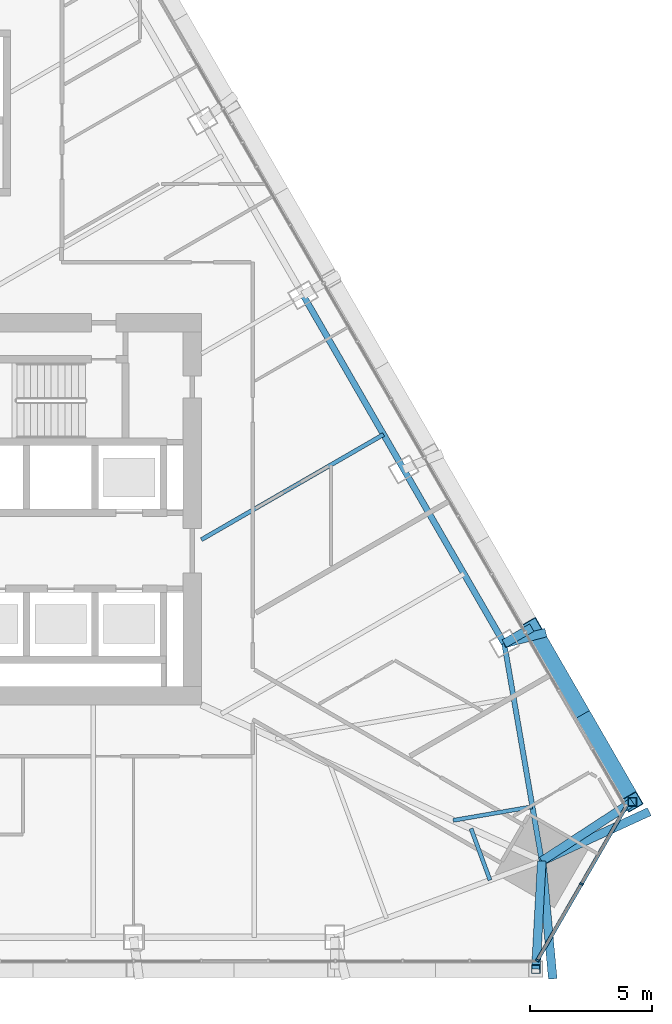
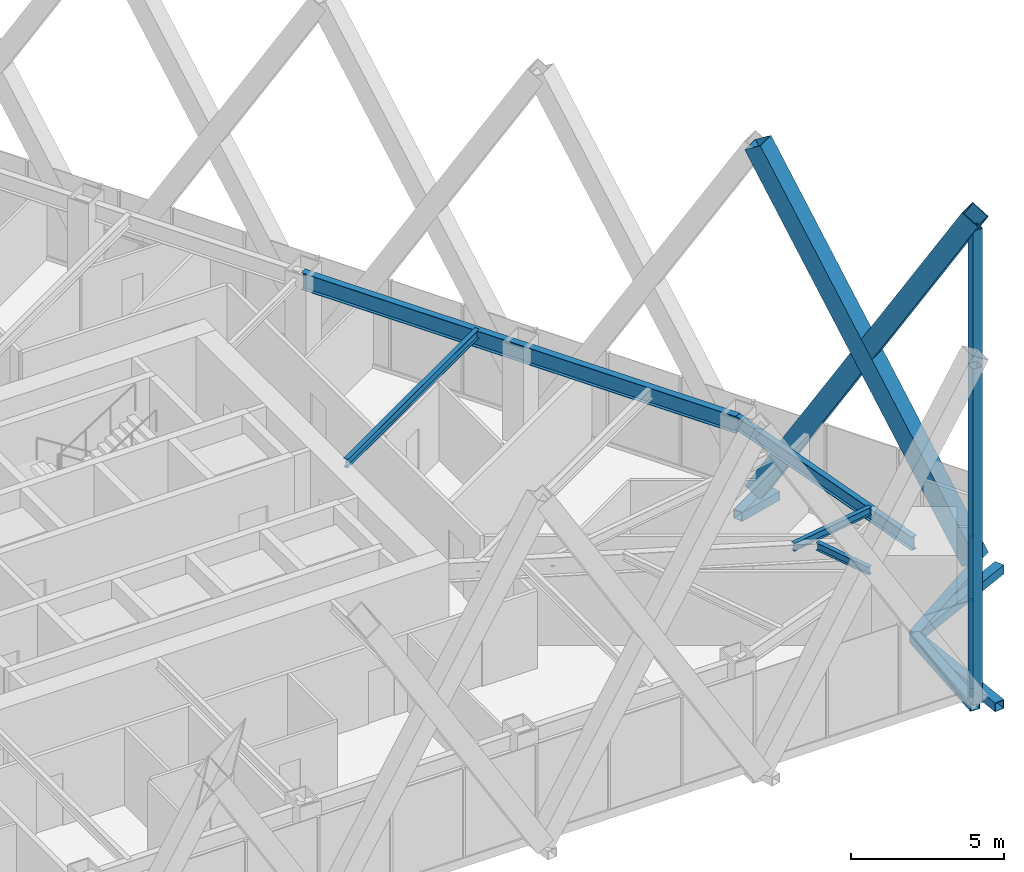
# One storey, part 7 of 19: 13 members, 5 beams, 1 element without a shape of its own.
"""IFC4 building model written with IfcOpenShell, lengths in metres."""

import ifcopenshell
import ifcopenshell.guid

model = None  # the IFC model being written
_history = None  # IfcOwnerHistory: only IFC2X3 demands one
_inside = {}  # id of a spatial element -> (the spatial element, [elements in it])
_under = {}  # id of a project, library or spatial element -> (it, [spatial elements below it])
_declared = {}  # id of a project -> (the project, [libraries it declares])
_typed = {}  # id of a type object -> (the type object, [elements of that type])
_made_of = {}  # id of a material, layer set ... -> (it, [elements and type objects made of it])


def new_model(schema):
    """Start an empty IFC model of exactly this schema.

    Asked for "IFC4X3", IfcOpenShell would pick the latest addendum, in which some entities
    have other attributes; the version numbers below select the first issue.
    IFC2X3 requires an IfcOwnerHistory on every rooted entity: one is made here for all.
    """
    global model, _history
    if schema == "IFC4X3":
        model = ifcopenshell.file(schema_version=(4, 3, 0, 0))
    else:
        model = ifcopenshell.file(schema=schema)
    _inside.clear()
    _under.clear()
    _declared.clear()
    _typed.clear()
    _made_of.clear()
    _history = None
    if model.schema == "IFC2X3":
        org = make("IfcOrganization", Name="unknown")
        user = make(
            "IfcPersonAndOrganization",
            ThePerson=make("IfcPerson", FamilyName="unknown"),
            TheOrganization=org,
        )
        app = make(
            "IfcApplication",
            ApplicationDeveloper=org,
            Version="unknown",
            ApplicationFullName="unknown",
            ApplicationIdentifier="unknown",
        )
        _history = make(
            "IfcOwnerHistory",
            OwningUser=user,
            OwningApplication=app,
            ChangeAction="ADDED",
            CreationDate=0,
        )
    return model


def make(cls, **values):
    """One entity of the class cls with the attributes given. An attribute that is None is left unset."""
    return model.create_entity(
        cls, **{name: value for name, value in values.items() if value is not None}
    )


def rooted(cls, **values):
    """An entity with a GlobalId (a new one), such as an element, a storey or a relation."""
    return make(cls, GlobalId=ifcopenshell.guid.new(), OwnerHistory=_history, **values)


def si_unit(unit_type, name, prefix=None):
    """IfcSIUnit, for example si_unit("LENGTHUNIT", "METRE", prefix="MILLI")."""
    return make("IfcSIUnit", UnitType=unit_type, Prefix=prefix, Name=name)


def assignment(units):
    """IfcUnitAssignment: the units of a project."""
    return None if units is None else make("IfcUnitAssignment", Units=units)


def point(xyz):
    """IfcCartesianPoint."""
    return None if xyz is None else make("IfcCartesianPoint", Coordinates=xyz)


def direction(xyz):
    """IfcDirection."""
    return None if xyz is None else make("IfcDirection", DirectionRatios=xyz)


def frame(location, z_axis=None, x_axis=None):
    """IfcAxis2Placement3D, a coordinate frame: its origin and axes. An axis left out is left unset."""
    return make(
        "IfcAxis2Placement3D",
        Location=point(location),
        Axis=direction(z_axis),
        RefDirection=direction(x_axis),
    )


def frame_2d(location, x_axis=None):
    """IfcAxis2Placement2D, a coordinate frame in the plane: its origin and x axis."""
    return make(
        "IfcAxis2Placement2D", Location=point(location), RefDirection=direction(x_axis)
    )


def origin():
    """The frame at (0, 0, 0) with its axes left unset."""
    return frame((0.0, 0.0, 0.0))


def origin_2d():
    """The frame at (0, 0) in the plane with its x axis left unset."""
    return frame_2d((0.0, 0.0))


def place(relative_to, where):
    """IfcLocalPlacement: puts the frame where relative to a parent placement (None: the world)."""
    return make(
        "IfcLocalPlacement", PlacementRelTo=relative_to, RelativePlacement=where
    )


def context(
    kind, dimensions, precision=None, world=None, true_north=None, identifier=None
):
    """IfcGeometricRepresentationContext, for example the 3D "Model" context."""
    return make(
        "IfcGeometricRepresentationContext",
        ContextIdentifier=identifier,
        ContextType=kind,
        CoordinateSpaceDimension=dimensions,
        Precision=precision,
        WorldCoordinateSystem=world,
        TrueNorth=true_north,
    )


def subcontext(parent, identifier, kind, view, scale=None):
    """IfcGeometricRepresentationSubContext, for example "Body" below "Model"."""
    return make(
        "IfcGeometricRepresentationSubContext",
        ContextIdentifier=identifier,
        ContextType=kind,
        ParentContext=parent,
        TargetScale=scale,
        TargetView=view,
    )


def project(units=None, contexts=None):
    """IfcProject with its units and contexts."""
    return rooted(
        "IfcProject",
        Name="project",
        RepresentationContexts=contexts,
        UnitsInContext=assignment(units),
    )


def spatial(cls, under=None, at=None, **own):
    """A site, building, storey or space (cls), placed at a placement, below another one or the project."""
    s = rooted(cls, ObjectPlacement=at, **own)
    if under is not None:
        _under.setdefault(under.id(), (under, []))[1].append(s)
    return s


def profile(cls, at=None, kind="AREA", **sizes):
    """A parametric profile (cls). Its sizes go by their IFC names, for example OverallWidth=200.0."""
    return make(cls, ProfileType=kind, Position=at, **sizes)


def rectangle(**sizes):
    """IfcRectangleProfileDef."""
    return profile("IfcRectangleProfileDef", **sizes)


def hollow_rectangle(**sizes):
    """IfcRectangleHollowProfileDef."""
    return profile("IfcRectangleHollowProfileDef", **sizes)


def i_section(**sizes):
    """IfcIShapeProfileDef."""
    return profile("IfcIShapeProfileDef", **sizes)


def extrude(swept, where, along, depth):
    """IfcExtrudedAreaSolid: the profile swept, set in the frame where, extruded along a direction by depth."""
    return make(
        "IfcExtrudedAreaSolid",
        SweptArea=swept,
        Position=where,
        ExtrudedDirection=direction(along),
        Depth=depth,
    )


def shape(context_of_items, identifier, shape_type, items):
    """IfcShapeRepresentation: the items that make up one representation, for example the "Body"."""
    return make(
        "IfcShapeRepresentation",
        ContextOfItems=context_of_items,
        RepresentationIdentifier=identifier,
        RepresentationType=shape_type,
        Items=items,
    )


def material(Name=None, Category=None):
    """IfcMaterial."""
    return make("IfcMaterial", Name=Name, Category=Category)


def layer(
    of_material, thickness, ventilated=None, Name=None, Category=None, Priority=None
):
    """IfcMaterialLayer: one layer of a wall or slab, of a material (None: an air gap)."""
    return make(
        "IfcMaterialLayer",
        Material=of_material,
        LayerThickness=thickness,
        IsVentilated=ventilated,
        Name=Name,
        Category=Category,
        Priority=Priority,
    )


def layer_set(layers, Name=None):
    """IfcMaterialLayerSet."""
    return make("IfcMaterialLayerSet", MaterialLayers=layers, LayerSetName=Name)


def material_profile(
    of_material, cross_section, Name=None, Category=None, Priority=None
):
    """IfcMaterialProfile: a cross section and its material."""
    return make(
        "IfcMaterialProfile",
        Name=Name,
        Material=of_material,
        Profile=cross_section,
        Priority=Priority,
        Category=Category,
    )


def profile_set(profiles, Name=None, composite=None):
    """IfcMaterialProfileSet."""
    return make(
        "IfcMaterialProfileSet",
        Name=Name,
        MaterialProfiles=profiles,
        CompositeProfile=composite,
    )


def made_of(thing, what):
    """Note that an element or type object is made of a material, layer set ...; save() writes the relation."""
    if what is not None:
        _made_of.setdefault(what.id(), (what, []))[1].append(thing)
    return thing


def type_object(cls, material=None, **own):
    """A type object (cls), such as IfcWallType, which elements share."""
    return made_of(rooted(cls, **own), material)


def element(
    cls,
    number,
    at=None,
    inside=None,
    cuts=None,
    type_object=None,
    material=None,
    context=None,
    identifier="Body",
    shape_type=None,
    held_by="IfcProductDefinitionShape",
    body=None,
    shapes=None,
    **own,
):
    """One element of the class cls, such as IfcWall. Its Tag is "e" and its number.

    at: its placement. inside: the storey or other place that contains it. cuts: it is an
    opening in that element (IfcRelVoidsElement). A single representation is given by context,
    identifier, shape_type and body (its items); several are given by shapes. held_by: the class
    of the entity that holds the representations. save() writes the other relations.
    """
    e = rooted(cls, Tag="e%d" % number, ObjectPlacement=at, **own)
    if body is not None:
        shapes = [shape(context, identifier, shape_type, body)]
    if shapes is not None:
        e.Representation = make(held_by, Representations=shapes)
    if inside is not None:
        _inside.setdefault(inside.id(), (inside, []))[1].append(e)
    if cuts is not None:
        rooted(
            "IfcRelVoidsElement", RelatingBuildingElement=cuts, RelatedOpeningElement=e
        )
    if type_object is not None:
        _typed.setdefault(type_object.id(), (type_object, []))[1].append(e)
    return made_of(e, material)


def aggregate(whole, parts):
    """IfcRelAggregates: a whole, such as a stair, and the parts it consists of."""
    return rooted("IfcRelAggregates", RelatingObject=whole, RelatedObjects=parts)


def save(model, path):
    """Write the relations noted so far, then the file.

    IfcRelAggregates (storeys below a building ...), IfcRelContainedInSpatialStructure (elements
    in a storey), IfcRelDefinesByType, IfcRelAssociatesMaterial and IfcRelDeclares: one each for
    every whole, place, type object, material and project.
    """
    for whole, parts in _under.values():
        aggregate(whole, parts)
    for where, things in _inside.values():
        rooted(
            "IfcRelContainedInSpatialStructure",
            RelatedElements=things,
            RelatingStructure=where,
        )
    for kind, things in _typed.values():
        rooted("IfcRelDefinesByType", RelatedObjects=things, RelatingType=kind)
    for what, things in _made_of.values():
        rooted("IfcRelAssociatesMaterial", RelatedObjects=things, RelatingMaterial=what)
    for by, libraries in _declared.values():
        rooted("IfcRelDeclares", RelatingContext=by, RelatedDefinitions=libraries)
    model.write(path)


model = new_model("IFC4")

# Units and contexts
model_context = context("Model", 3, precision=1e-05, world=origin(), true_north=direction((0.0, 1.0)))
body_context = subcontext(model_context, "Body", "Model", "MODEL_VIEW")
ifc_project = project(units=[si_unit("LENGTHUNIT", "METRE"), si_unit("AREAUNIT", "SQUARE_METRE"), si_unit("VOLUMEUNIT", "CUBIC_METRE"), si_unit("PLANEANGLEUNIT", "RADIAN"), si_unit("MASSUNIT", "GRAM", prefix="KILO")], contexts=[model_context])

# Site, building, storey
site_placement = place(None, origin())
site = spatial("IfcSite", under=ifc_project, at=site_placement, CompositionType="ELEMENT")
building_placement = place(site_placement, origin())
building = spatial("IfcBuilding", under=site, at=building_placement, Name="Firuza Gate Tower and Library", CompositionType="ELEMENT")
storey_placement = place(building_placement, frame((0.0, 0.0, 233.800048828125)))
storey = spatial("IfcBuildingStorey", under=building, at=storey_placement, Name="L55", CompositionType="ELEMENT", Elevation=233.800048828125)

# Members
ifc_material_1 = material(Name="Steel S355", Category="steel")
ifc_material_profile_1 = material_profile(ifc_material_1, hollow_rectangle(XDim=0.699951171875, YDim=0.699951171875, WallThickness=0.030029296875, at=origin_2d()))
ifc_profile_set_1 = profile_set([ifc_material_profile_1], Name="Steel S355")
member_type_1 = type_object("IfcMemberType", Name="BU700x700x30 Lattice brace", PredefinedType="BRACE", material=ifc_profile_set_1)
for number, where, z_axis, x_axis, name in (
    (1, (103.623046875, 63.031494140625, 0.0), (-0.256001119482, 0.443405002033, 0.858985116865), (-0.866024454709, -0.500001643842, 0.0), "Lattice brace E 13.1R"),
    (2, (99.51025390625, 70.155029296875, 0.0), (0.256001119482, -0.443405002033, 0.858985116865), (0.866024454709, 0.500001643842, 0.0), "Lattice brace E 13.1L"),
):
    element("IfcMember", number, at=place(storey_placement, frame(where, z_axis=z_axis, x_axis=x_axis)), inside=storey, type_object=member_type_1, Name=name, PredefinedType="BRACE", context=body_context, shape_type="SweptSolid", body=[
        extrude(hollow_rectangle(XDim=0.699951171875, YDim=0.699951171875, WallThickness=0.030029296875, at=origin_2d()), origin(), (0.0, 0.0, 1.0), 16.0654296875),
    ])

# Curtain wall, members
ifc_material_2 = material(Name="Aluminium 6063-T6", Category="aluminium")
ifc_layer = layer(ifc_material_2, 0.14990234375)
ifc_layer_set = layer_set([ifc_layer], Name="Corner curtain wall, chamfers")
curtain_wall_type = type_object("IfcCurtainWallType", Name="Corner curtain wall, chamfers", PredefinedType="NOTDEFINED", material=ifc_layer_set)
curtain_wall_placement = place(storey_placement, origin())
curtain_wall = element("IfcCurtainWall", 3, at=curtain_wall_placement, inside=storey, type_object=curtain_wall_type, Name="CW4 L55 SE corner", PredefinedType="NOTDEFINED")
ifc_material_3 = material(Name="Aluminium 6063-T6", Category="aluminium")
ifc_material_profile_2 = material_profile(ifc_material_3, rectangle(XDim=0.14990234375, YDim=0.080078125, at=origin_2d()))
ifc_profile_set_2 = profile_set([ifc_material_profile_2], Name="Aluminium 6063-T6")
member_type_2 = type_object("IfcMemberType", Name="Curtain wall mullion 80x150", PredefinedType="MULLION", material=ifc_profile_set_2)
member_1_placement = place(storey_placement, frame((99.739990234375, 56.5556640625, 0.14990234375), z_axis=(0.0, 0.0, 1.0), x_axis=(-0.866025403784, 0.5, 0.0)))
member_1 = element("IfcMember", 4, at=member_1_placement, type_object=member_type_2, Name="Mullion", PredefinedType="MULLION", context=body_context, shape_type="SweptSolid", body=[
    extrude(rectangle(XDim=0.14990234375, YDim=0.080078125, at=origin_2d()), origin(), (0.0, 0.0, 1.0), 3.550048828125),
])
member_2_placement = place(storey_placement, frame((101.54150390625, 59.67626953125, 0.14990234375), z_axis=(0.0, 0.0, 1.0), x_axis=(-0.866025403784, 0.5, 0.0)))
member_2 = element("IfcMember", 5, at=member_2_placement, type_object=member_type_2, Name="Mullion", PredefinedType="MULLION", context=body_context, shape_type="SweptSolid", body=[
    extrude(rectangle(XDim=0.14990234375, YDim=0.080078125, at=origin_2d()), origin(), (0.0, 0.0, 1.0), 3.550048828125),
])
ifc_material_4 = material(Name="Aluminium 6063-T6", Category="aluminium")
ifc_material_profile_3 = material_profile(ifc_material_4, rectangle(XDim=0.14990234375, YDim=0.35009765625, at=origin_2d()))
ifc_profile_set_3 = profile_set([ifc_material_profile_3], Name="Aluminium 6063-T6")
member_type_3 = type_object("IfcMemberType", Name="Curtain wall transom 350x150", PredefinedType="USERDEFINED", material=ifc_profile_set_3)
member_3_placement = place(storey_placement, frame((99.719970703125, 56.52099609375, -0.025146484375), z_axis=(0.500005719219, 0.866022101766, 0.0), x_axis=(-0.866022101766, 0.500005719219, 0.0)))
member_3 = element("IfcMember", 6, at=member_3_placement, type_object=member_type_3, Name="Transom", ObjectType="TRANSOM", PredefinedType="USERDEFINED", context=body_context, shape_type="SweptSolid", body=[
    extrude(rectangle(XDim=0.14990234375, YDim=0.35009765625, at=origin_2d()), origin(), (0.0, 0.0, 1.0), 7.28662109375),
])
aggregate(curtain_wall, [member_1, member_2, member_3])

# Members
ifc_material_5 = material(Name="Steel S355", Category="steel")
ifc_material_profile_4 = material_profile(ifc_material_5, hollow_rectangle(XDim=0.355712890625, YDim=0.355712890625, WallThickness=0.014892578125, at=origin_2d()))
ifc_profile_set_4 = profile_set([ifc_material_profile_4], Name="Steel S355")
member_type_4 = type_object("IfcMemberType", Name="HSS356x356x16 Lattice corner stile", PredefinedType="BRACE", material=ifc_profile_set_4)
for number, where, z_axis, x_axis, name in (
    (7, (99.676513671875, 56.196044921875, -0.14013671875), (0.0, 0.0, 1.0), (1.0, 0.0, 0.0), "Lattice corner stile S 13.B"),
    (8, (103.623046875, 63.031494140625, -0.14013671875), (0.0, 0.0, 1.0), (1.0, 0.0, 0.0), "Lattice corner stile E 13.A"),
):
    element("IfcMember", number, at=place(storey_placement, frame(where, z_axis=z_axis, x_axis=x_axis)), inside=storey, type_object=member_type_4, Name=name, PredefinedType="BRACE", context=body_context, shape_type="SweptSolid", body=[
        extrude(hollow_rectangle(XDim=0.355712890625, YDim=0.355712890625, WallThickness=0.014892578125, at=origin_2d()), origin(), (0.0, 0.0, 1.0), 13.440185546875),
    ])
ifc_material_6 = material(Name="Steel S355", Category="steel")
ifc_material_profile_5 = material_profile(ifc_material_6, hollow_rectangle(XDim=0.355712890625, YDim=0.355712890625, WallThickness=0.014892578125, at=origin_2d()))
ifc_profile_set_5 = profile_set([ifc_material_profile_5], Name="Steel S355")
member_type_5 = type_object("IfcMemberType", Name="HSS356x356x16 Lattice node tie", PredefinedType="BRACE", material=ifc_profile_set_5)
member_4_placement = place(storey_placement, frame((98.384521484375, 69.5048828125, -0.320068359375), z_axis=(0.966643622206, 0.256125179646, 0.0), x_axis=(-0.256125179646, 0.966643622206, 0.0)))
element("IfcMember", 9, at=member_4_placement, inside=storey, type_object=member_type_5, Name="Lattice node tie E L55 296", PredefinedType="BRACE", context=body_context, shape_type="SweptSolid", body=[
    extrude(hollow_rectangle(XDim=0.355712890625, YDim=0.355712890625, WallThickness=0.014892578125, at=origin_2d()), origin(), (0.0, 0.0, 1.0), 1.759521484375),
])
member_5_placement = place(storey_placement, frame((98.384521484375, 69.5048828125, -0.320068359375), z_axis=(0.86595725628, 0.500118016368, 0.0), x_axis=(-0.500118016368, 0.86595725628, 0.0)))
element("IfcMember", 10, at=member_5_placement, inside=storey, type_object=member_type_5, Name="Lattice node tie E L55 297", PredefinedType="BRACE", context=body_context, shape_type="SweptSolid", body=[
    extrude(hollow_rectangle(XDim=0.355712890625, YDim=0.355712890625, WallThickness=0.014892578125, at=origin_2d()), origin(), (0.0, 0.0, 1.0), 1.300048828125),
])
member_6_placement = place(storey_placement, frame((99.917724609375, 60.61376953125, -0.320068359375), z_axis=(0.90872599947, 0.417393169431, 0.0), x_axis=(-0.417393169431, 0.90872599947, 0.0)))
element("IfcMember", 11, at=member_6_placement, inside=storey, type_object=member_type_5, Name="Lattice node tie E L55 298", PredefinedType="BRACE", context=body_context, shape_type="SweptSolid", body=[
    extrude(hollow_rectangle(XDim=0.355712890625, YDim=0.355712890625, WallThickness=0.014892578125, at=origin_2d()), origin(), (0.0, 0.0, 1.0), 4.837158203125),
])
member_7_placement = place(storey_placement, frame((99.917724609375, 60.61376953125, -0.320068359375), z_axis=(0.837485429113, 0.546459656355, 0.0), x_axis=(-0.546459656355, 0.837485429113, 0.0)))
element("IfcMember", 12, at=member_7_placement, inside=storey, type_object=member_type_5, Name="Lattice node tie E L55 299", PredefinedType="BRACE", context=body_context, shape_type="SweptSolid", body=[
    extrude(hollow_rectangle(XDim=0.355712890625, YDim=0.355712890625, WallThickness=0.014892578125, at=origin_2d()), origin(), (0.0, 0.0, 1.0), 4.42431640625),
])
member_8_placement = place(storey_placement, frame((99.917724609375, 60.61376953125, -0.320068359375), z_axis=(0.092865407282, -0.995678671124, 0.0), x_axis=(0.995678671124, 0.092865407282, 0.0)))
element("IfcMember", 13, at=member_8_placement, inside=storey, type_object=member_type_5, Name="Lattice node tie S L55 309", PredefinedType="BRACE", context=body_context, shape_type="SweptSolid", body=[
    extrude(hollow_rectangle(XDim=0.355712890625, YDim=0.355712890625, WallThickness=0.014892578125, at=origin_2d()), origin(), (0.0, 0.0, 1.0), 4.83740234375),
])
member_9_placement = place(storey_placement, frame((99.917724609375, 60.61376953125, -0.320068359375), z_axis=(-0.054519511079, -0.998512705433, 0.0), x_axis=(0.998512705433, -0.054519511079, 0.0)))
element("IfcMember", 14, at=member_9_placement, inside=storey, type_object=member_type_5, Name="Lattice node tie S L55 310", PredefinedType="BRACE", context=body_context, shape_type="SweptSolid", body=[
    extrude(hollow_rectangle(XDim=0.355712890625, YDim=0.355712890625, WallThickness=0.014892578125, at=origin_2d()), origin(), (0.0, 0.0, 1.0), 4.42431640625),
])

# Beams
ifc_material_7 = material(Name="Steel S355", Category="steel")
ifc_material_profile_6 = material_profile(ifc_material_7, i_section(OverallWidth=0.1650390625, OverallDepth=0.31005859375, WebThickness=0.005859375, FlangeThickness=0.009765625, at=origin_2d()))
ifc_profile_set_6 = profile_set([ifc_material_profile_6], Name="Steel S355")
beam_type_1 = type_object("IfcBeamType", Name="W310x39 Floor beam", PredefinedType="JOIST", material=ifc_profile_set_6)
beam_1_placement = place(storey_placement, frame((97.801025390625, 59.834228515625, 3.544921875), z_axis=(-0.345503762559, 0.938417364533, 0.0), x_axis=(-0.938417364533, -0.345503762559, 0.0)))
element("IfcBeam", 15, at=beam_1_placement, inside=storey, type_object=beam_type_1, Name="Floor beam L55 s31", PredefinedType="JOIST", context=body_context, shape_type="SweptSolid", body=[
    extrude(i_section(OverallWidth=0.1650390625, OverallDepth=0.31005859375, WebThickness=0.005859375, FlangeThickness=0.009765625, at=origin_2d()), origin(), (0.0, 0.0, 1.0), 2.244873046875),
])
beam_2_placement = place(storey_placement, frame((99.534423828125, 62.83642578125, 3.544921875), z_axis=(-0.985455831019, -0.169931766042, 0.0), x_axis=(0.169931766042, -0.985455831019, 0.0)))
element("IfcBeam", 16, at=beam_2_placement, inside=storey, type_object=beam_type_1, Name="Floor beam L55 s40", PredefinedType="JOIST", context=body_context, shape_type="SweptSolid", body=[
    extrude(i_section(OverallWidth=0.1650390625, OverallDepth=0.31005859375, WebThickness=0.005859375, FlangeThickness=0.009765625, at=origin_2d()), origin(), (0.0, 0.0, 1.0), 3.2900390625),
])
ifc_material_8 = material(Name="Steel S355", Category="steel")
ifc_material_profile_7 = material_profile(ifc_material_8, i_section(OverallWidth=0.1708984375, OverallDepth=0.35498046875, WebThickness=0.007080078125, FlangeThickness=0.01171875, at=origin_2d()))
ifc_profile_set_7 = profile_set([ifc_material_profile_7], Name="Steel S355")
beam_type_2 = type_object("IfcBeamType", Name="W360x51 Floor beam", PredefinedType="JOIST", material=ifc_profile_set_7)
beam_3_placement = place(storey_placement, frame((93.44921875, 78.05322265625, 3.5224609375), z_axis=(-0.866026773083, -0.499997628298, 0.0), x_axis=(0.499997628298, -0.866026773083, 0.0)))
element("IfcBeam", 17, at=beam_3_placement, inside=storey, type_object=beam_type_2, Name="Floor beam L55 s51", PredefinedType="JOIST", context=body_context, shape_type="SweptSolid", body=[
    extrude(i_section(OverallWidth=0.1708984375, OverallDepth=0.35498046875, WebThickness=0.007080078125, FlangeThickness=0.01171875, at=origin_2d()), origin(), (0.0, 0.0, 1.0), 8.6015625),
])
ifc_material_9 = material(Name="Steel S355", Category="steel")
ifc_material_profile_8 = material_profile(ifc_material_9, i_section(OverallWidth=0.212890625, OverallDepth=0.5390625, WebThickness=0.01171875, FlangeThickness=0.018798828125, at=origin_2d()))
ifc_profile_set_8 = profile_set([ifc_material_profile_8], Name="Steel S355")
beam_type_3 = type_object("IfcBeamType", Name="W530x109 Edge beam", PredefinedType="SPANDREL", material=ifc_profile_set_8)
beam_4_placement = place(storey_placement, frame((99.917724609375, 60.61376953125, 3.430419921875), z_axis=(-0.169934101, 0.985455428377, 0.0), x_axis=(-0.985455428377, -0.169934101, 0.0)))
element("IfcBeam", 18, at=beam_4_placement, inside=storey, type_object=beam_type_3, Name="Edge beam L55 e40", PredefinedType="SPANDREL", context=body_context, shape_type="SweptSolid", body=[
    extrude(i_section(OverallWidth=0.212890625, OverallDepth=0.5390625, WebThickness=0.01171875, FlangeThickness=0.018798828125, at=origin_2d()), origin(), (0.0, 0.0, 1.0), 9.0224609375),
])
ifc_material_10 = material(Name="Steel S355", Category="steel")
ifc_material_profile_9 = material_profile(ifc_material_10, i_section(OverallWidth=0.2529296875, OverallDepth=0.677978515625, WebThickness=0.01171875, FlangeThickness=0.016357421875, at=origin_2d()))
ifc_profile_set_9 = profile_set([ifc_material_profile_9], Name="Steel S355")
beam_type_4 = type_object("IfcBeamType", Name="W690x125 Edge beam", PredefinedType="SPANDREL", material=ifc_profile_set_9)
beam_5_placement = place(storey_placement, frame((98.384521484375, 69.5048828125, 3.36083984375), z_axis=(-0.500001643842, 0.866024454709, 0.0), x_axis=(-0.866024454709, -0.500001643842, 0.0)))
element("IfcBeam", 19, at=beam_5_placement, inside=storey, type_object=beam_type_4, Name="Edge beam L55 e50", PredefinedType="SPANDREL", context=body_context, shape_type="SweptSolid", body=[
    extrude(i_section(OverallWidth=0.2529296875, OverallDepth=0.677978515625, WebThickness=0.01171875, FlangeThickness=0.016357421875, at=origin_2d()), origin(), (0.0, 0.0, 1.0), 16.451171875),
])

save(model, "model.ifc")
